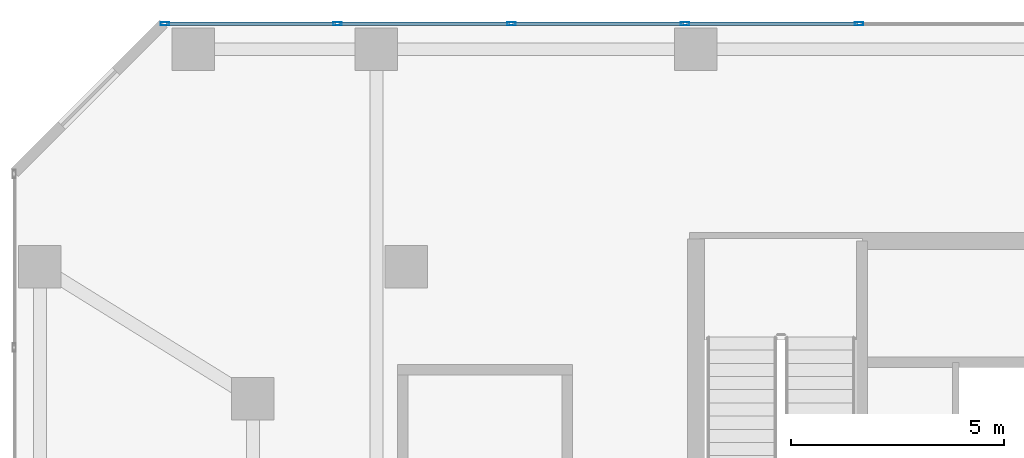
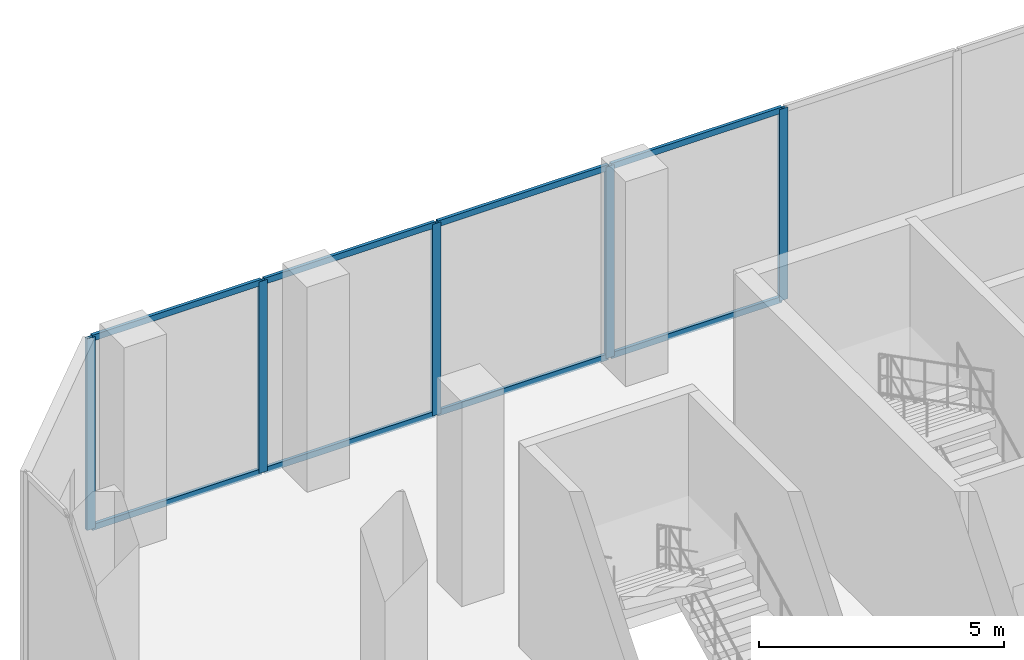
# One storey, part 14 of 24: 13 members, 1 element without a shape of its own.
"""IFC4 building model written with IfcOpenShell, lengths in metres."""

from ifc_helpers import new_model, si_unit, direction, frame, origin, origin_2d, place, context, subcontext, project, spatial, hollow_rectangle, extrude, material, layer, layer_set, material_profile, profile_set, type_object, element, aggregate, save


model = new_model("IFC4")

# Units and contexts
model_context = context("Model", 3, precision=1e-05, world=origin(), true_north=direction((0.0, 1.0)))
body_context = subcontext(model_context, "Body", "Model", "MODEL_VIEW")
ifc_project = project(units=[si_unit("LENGTHUNIT", "METRE"), si_unit("AREAUNIT", "SQUARE_METRE"), si_unit("VOLUMEUNIT", "CUBIC_METRE"), si_unit("PLANEANGLEUNIT", "RADIAN"), si_unit("MASSUNIT", "GRAM", prefix="KILO")], contexts=[model_context])

# Site, building, storey
site_placement = place(None, origin())
site = spatial("IfcSite", under=ifc_project, at=site_placement, CompositionType="ELEMENT")
building_placement = place(site_placement, origin())
building = spatial("IfcBuilding", under=site, at=building_placement, Name="Catumbela Crestline Tower", CompositionType="ELEMENT")
storey_placement = place(building_placement, frame((0.0, 0.0, 6.0)))
storey = spatial("IfcBuildingStorey", under=building, at=storey_placement, Name="L01", CompositionType="ELEMENT", Elevation=6.0)

# Curtain wall, members
ifc_material = material(Name="Aluminium alloy AW-6060-T66", Category="aluminium")
ifc_layer = layer(ifc_material, 0.18, Name="Aluminium alloy AW-6060-T66")
ifc_layer_set = layer_set([ifc_layer], Name="Aluminium alloy AW-6060-T66")
curtain_wall_type = type_object("IfcCurtainWallType", Name="CWS-POD", PredefinedType="USERDEFINED", material=ifc_layer_set)
curtain_wall_placement = place(storey_placement, origin())
curtain_wall = element("IfcCurtainWall", 1, at=curtain_wall_placement, inside=storey, type_object=curtain_wall_type, Name="L01 Stick Curtain Wall CW-L01-E7S1", ObjectType="STICK", PredefinedType="USERDEFINED")
ifc_material_profile_1 = material_profile(ifc_material, hollow_rectangle(XDim=0.075, YDim=0.2, WallThickness=0.005, at=origin_2d()), Name="ALU 200x75x5")
ifc_profile_set_1 = profile_set([ifc_material_profile_1], Name="Aluminium alloy AW-6060-T66")
member_type_1 = type_object("IfcMemberType", Name="MUL-200X75", PredefinedType="MULLION", material=ifc_profile_set_1)
member_1_placement = place(storey_placement, frame((19.8333, 48.0, 0.0), z_axis=(0.0, 0.0, 1.0), x_axis=(0.0, -1.0, 0.0)))
member_1 = element("IfcMember", 2, at=member_1_placement, type_object=member_type_1, Name="CWS-POD mullion 9", PredefinedType="MULLION", context=body_context, shape_type="SweptSolid", body=[
    extrude(hollow_rectangle(XDim=0.075, YDim=0.2, WallThickness=0.005, at=origin_2d()), origin(), (0.0, 0.0, 1.0), 4.77),
])
member_2_placement = place(storey_placement, frame((15.75, 48.0, 0.0), z_axis=(0.0, 0.0, 1.0), x_axis=(0.0, -1.0, 0.0)))
member_2 = element("IfcMember", 3, at=member_2_placement, type_object=member_type_1, Name="CWS-POD mullion 10", PredefinedType="MULLION", context=body_context, shape_type="SweptSolid", body=[
    extrude(hollow_rectangle(XDim=0.075, YDim=0.2, WallThickness=0.005, at=origin_2d()), origin(), (0.0, 0.0, 1.0), 4.77),
])
member_3_placement = place(storey_placement, frame((11.6667, 48.0, 0.0), z_axis=(0.0, 0.0, 1.0), x_axis=(0.0, -1.0, 0.0)))
member_3 = element("IfcMember", 4, at=member_3_placement, type_object=member_type_1, Name="CWS-POD mullion 11", PredefinedType="MULLION", context=body_context, shape_type="SweptSolid", body=[
    extrude(hollow_rectangle(XDim=0.075, YDim=0.2, WallThickness=0.005, at=origin_2d()), origin(), (0.0, 0.0, 1.0), 4.77),
])
member_4_placement = place(storey_placement, frame((7.5833, 48.0, 0.0), z_axis=(0.0, 0.0, 1.0), x_axis=(0.0, -1.0, 0.0)))
member_4 = element("IfcMember", 5, at=member_4_placement, type_object=member_type_1, Name="CWS-POD mullion 12", PredefinedType="MULLION", context=body_context, shape_type="SweptSolid", body=[
    extrude(hollow_rectangle(XDim=0.075, YDim=0.2, WallThickness=0.005, at=origin_2d()), origin(), (0.0, 0.0, 1.0), 4.77),
])
member_5_placement = place(storey_placement, frame((3.5325, 48.0, 0.0), z_axis=(0.0, 0.0, 1.0), x_axis=(0.0, -1.0, 0.0)))
member_5 = element("IfcMember", 6, at=member_5_placement, type_object=member_type_1, Name="CWS-POD mullion 13", PredefinedType="MULLION", context=body_context, shape_type="SweptSolid", body=[
    extrude(hollow_rectangle(XDim=0.075, YDim=0.2, WallThickness=0.005, at=origin_2d()), origin(), (0.0, 0.0, 1.0), 4.77),
])
ifc_material_profile_2 = material_profile(ifc_material, hollow_rectangle(XDim=0.075, YDim=0.15, WallThickness=0.0045, at=origin_2d()), Name="ALU 150x75x4.5")
ifc_profile_set_2 = profile_set([ifc_material_profile_2], Name="Aluminium alloy AW-6060-T66")
member_type_2 = type_object("IfcMemberType", Name="TRN-150X75", PredefinedType="USERDEFINED", material=ifc_profile_set_2)
member_6_placement = place(storey_placement, frame((19.8008, 48.0, 0.03), z_axis=(-1.0, 0.0, 0.0), x_axis=(0.0, -1.0, 0.0)))
member_6 = element("IfcMember", 7, at=member_6_placement, type_object=member_type_2, Name="CWS-POD transom 9.1", ObjectType="TRANSOM", PredefinedType="USERDEFINED", context=body_context, shape_type="SweptSolid", body=[
    extrude(hollow_rectangle(XDim=0.075, YDim=0.15, WallThickness=0.0045, at=origin_2d()), origin(), (0.0, 0.0, 1.0), 4.0183),
])
member_7_placement = place(storey_placement, frame((19.8008, 48.0, 4.74), z_axis=(-1.0, 0.0, 0.0), x_axis=(0.0, -1.0, 0.0)))
member_7 = element("IfcMember", 8, at=member_7_placement, type_object=member_type_2, Name="CWS-POD transom 9.2", ObjectType="TRANSOM", PredefinedType="USERDEFINED", context=body_context, shape_type="SweptSolid", body=[
    extrude(hollow_rectangle(XDim=0.075, YDim=0.15, WallThickness=0.0045, at=origin_2d()), origin(), (0.0, 0.0, 1.0), 4.0183),
])
member_8_placement = place(storey_placement, frame((15.7175, 48.0, 0.03), z_axis=(-1.0, 0.0, 0.0), x_axis=(0.0, -1.0, 0.0)))
member_8 = element("IfcMember", 9, at=member_8_placement, type_object=member_type_2, Name="CWS-POD transom 10.1", ObjectType="TRANSOM", PredefinedType="USERDEFINED", context=body_context, shape_type="SweptSolid", body=[
    extrude(hollow_rectangle(XDim=0.075, YDim=0.15, WallThickness=0.0045, at=origin_2d()), origin(), (0.0, 0.0, 1.0), 4.0183),
])
member_9_placement = place(storey_placement, frame((15.7175, 48.0, 4.74), z_axis=(-1.0, 0.0, 0.0), x_axis=(0.0, -1.0, 0.0)))
member_9 = element("IfcMember", 10, at=member_9_placement, type_object=member_type_2, Name="CWS-POD transom 10.2", ObjectType="TRANSOM", PredefinedType="USERDEFINED", context=body_context, shape_type="SweptSolid", body=[
    extrude(hollow_rectangle(XDim=0.075, YDim=0.15, WallThickness=0.0045, at=origin_2d()), origin(), (0.0, 0.0, 1.0), 4.0183),
])
member_10_placement = place(storey_placement, frame((11.6342, 48.0, 0.03), z_axis=(-1.0, 0.0, 0.0), x_axis=(0.0, -1.0, 0.0)))
member_10 = element("IfcMember", 11, at=member_10_placement, type_object=member_type_2, Name="CWS-POD transom 11.1", ObjectType="TRANSOM", PredefinedType="USERDEFINED", context=body_context, shape_type="SweptSolid", body=[
    extrude(hollow_rectangle(XDim=0.075, YDim=0.15, WallThickness=0.0045, at=origin_2d()), origin(), (0.0, 0.0, 1.0), 4.0184),
])
member_11_placement = place(storey_placement, frame((11.6342, 48.0, 4.74), z_axis=(-1.0, 0.0, 0.0), x_axis=(0.0, -1.0, 0.0)))
member_11 = element("IfcMember", 12, at=member_11_placement, type_object=member_type_2, Name="CWS-POD transom 11.2", ObjectType="TRANSOM", PredefinedType="USERDEFINED", context=body_context, shape_type="SweptSolid", body=[
    extrude(hollow_rectangle(XDim=0.075, YDim=0.15, WallThickness=0.0045, at=origin_2d()), origin(), (0.0, 0.0, 1.0), 4.0184),
])
member_12_placement = place(storey_placement, frame((7.5508, 48.0, 0.03), z_axis=(-1.0, 0.0, 0.0), x_axis=(0.0, -1.0, 0.0)))
member_12 = element("IfcMember", 13, at=member_12_placement, type_object=member_type_2, Name="CWS-POD transom 12.1", ObjectType="TRANSOM", PredefinedType="USERDEFINED", context=body_context, shape_type="SweptSolid", body=[
    extrude(hollow_rectangle(XDim=0.075, YDim=0.15, WallThickness=0.0045, at=origin_2d()), origin(), (0.0, 0.0, 1.0), 3.9858),
])
member_13_placement = place(storey_placement, frame((7.5508, 48.0, 4.74), z_axis=(-1.0, 0.0, 0.0), x_axis=(0.0, -1.0, 0.0)))
member_13 = element("IfcMember", 14, at=member_13_placement, type_object=member_type_2, Name="CWS-POD transom 12.2", ObjectType="TRANSOM", PredefinedType="USERDEFINED", context=body_context, shape_type="SweptSolid", body=[
    extrude(hollow_rectangle(XDim=0.075, YDim=0.15, WallThickness=0.0045, at=origin_2d()), origin(), (0.0, 0.0, 1.0), 3.9858),
])
aggregate(curtain_wall, [member_1, member_2, member_3, member_4, member_5, member_6, member_7, member_8, member_9, member_10, member_11, member_12, member_13])

save(model, "model.ifc")
